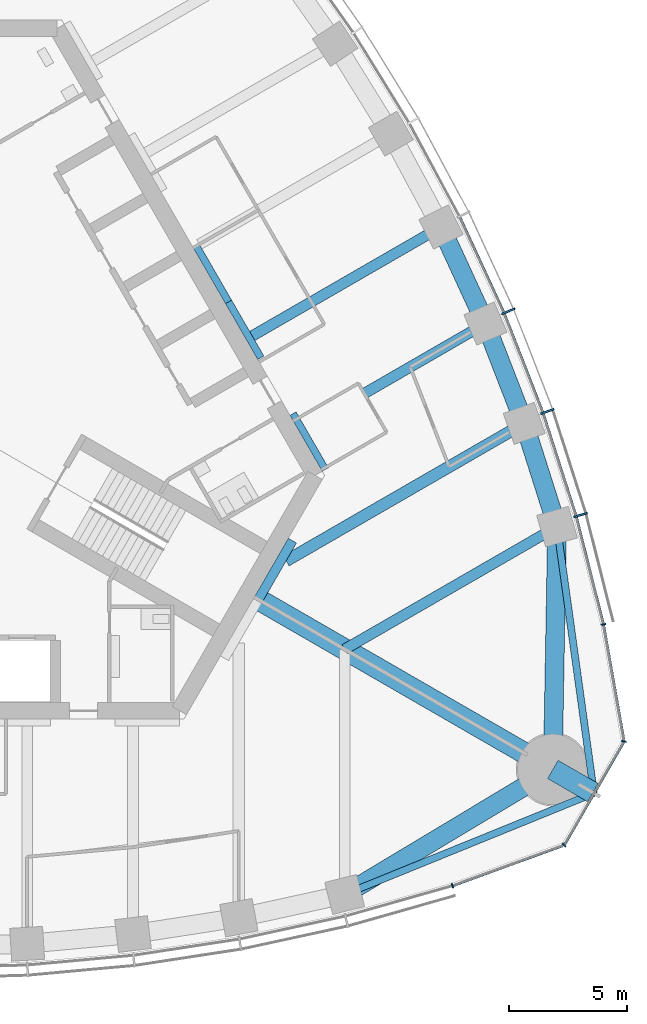
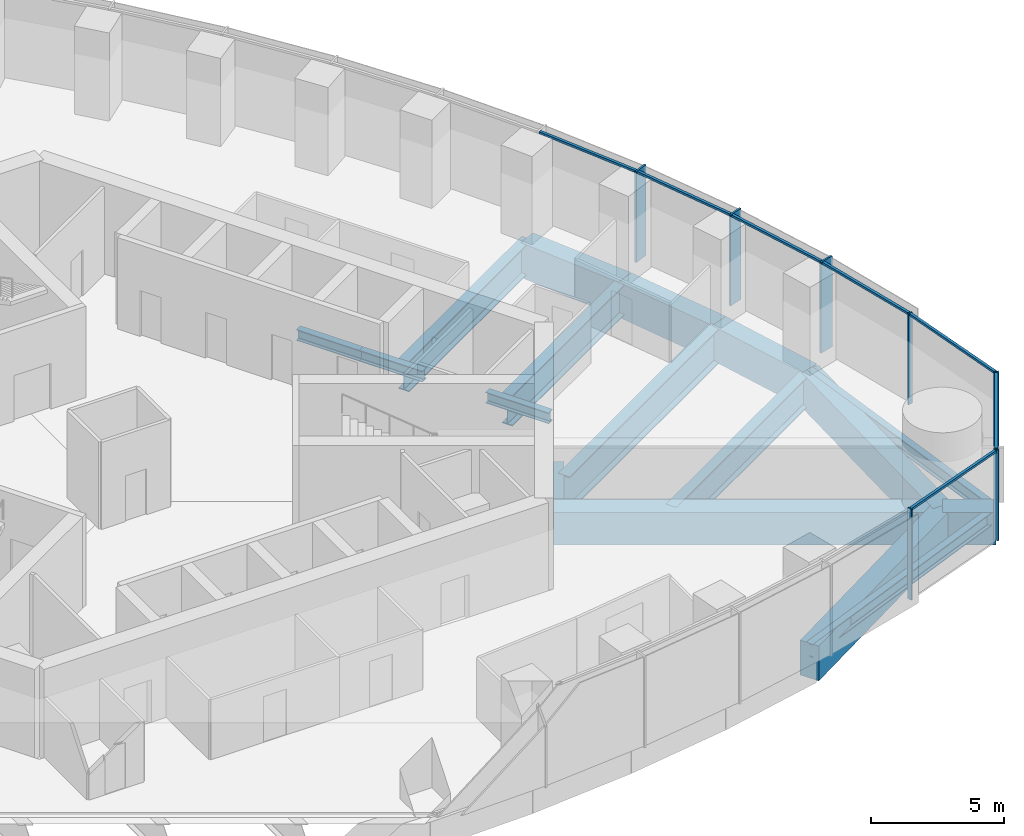
# One storey, part 4 of 14: 17 beams, 14 members, 2 elements without a shape of their own.
"""IFC4 building model written with IfcOpenShell, lengths in metres."""

from ifc_helpers import new_model, si_unit, direction, frame, origin, origin_2d, place, context, subcontext, project, spatial, rectangle, i_section, extrude, material, material_profile, profile_set, type_object, element, aggregate, save


model = new_model("IFC4")

# Units and contexts
model_context = context("Model", 3, precision=1e-05, world=origin(), true_north=direction((0.0, 1.0)))
body_context = subcontext(model_context, "Body", "Model", "MODEL_VIEW")
ifc_project = project(units=[si_unit("LENGTHUNIT", "METRE"), si_unit("AREAUNIT", "SQUARE_METRE"), si_unit("VOLUMEUNIT", "CUBIC_METRE"), si_unit("PLANEANGLEUNIT", "RADIAN"), si_unit("MASSUNIT", "GRAM", prefix="KILO")], contexts=[model_context])

# Site, building, storey
site_placement = place(None, origin())
site = spatial("IfcSite", under=ifc_project, at=site_placement, CompositionType="ELEMENT")
building_placement = place(site_placement, origin())
building = spatial("IfcBuilding", under=site, at=building_placement, Name="Trefoil Bronze Tower", CompositionType="ELEMENT")
storey_placement = place(building_placement, frame((0.0, 0.0, 280.5)))
storey = spatial("IfcBuildingStorey", under=building, at=storey_placement, Name="L64", CompositionType="ELEMENT", Elevation=280.5)

# Curtain wall, members
ifc_material_1 = material(Name="Tinted solar-control glass", Category="glass")
curtain_wall_type_1 = type_object("IfcCurtainWallType", Name="Bronze office curtain wall", PredefinedType="USERDEFINED", material=ifc_material_1)
curtain_wall_1_placement = place(storey_placement, origin())
curtain_wall_1 = element("IfcCurtainWall", 1, at=curtain_wall_1_placement, inside=storey, type_object=curtain_wall_type_1, Name="CW-A L64 F2", ObjectType="CURTAIN WALL", PredefinedType="USERDEFINED")
ifc_material_2 = material(Name="Bronze-finish aluminium", Category="aluminium")
ifc_material_profile_1 = material_profile(ifc_material_2, rectangle(XDim=0.60009765625, YDim=0.080078125, at=origin_2d()), Name="CW-A mullion")
ifc_profile_set_1 = profile_set([ifc_material_profile_1], Name="Bronze-finish aluminium")
member_type_1 = type_object("IfcMemberType", Name="Bronze office curtain wall mullion", PredefinedType="MULLION", material=ifc_profile_set_1)
member_1_placement = place(storey_placement, frame((28.02978515625, -4.685546875, 0.0), z_axis=(0.0, 0.0, 1.0), x_axis=(-0.961395843746, -0.275169096426, 0.0)))
member_1 = element("IfcMember", 2, at=member_1_placement, type_object=member_type_1, Name="CW-A L64 F2 mullion 2", PredefinedType="MULLION", context=body_context, shape_type="SweptSolid", body=[
    extrude(rectangle(XDim=0.60009765625, YDim=0.080078125, at=origin_2d()), origin(), (0.0, 0.0, 1.0), 4.179931640625),
])
member_2_placement = place(storey_placement, frame((26.618896484375, -0.282958984375, 0.0), z_axis=(0.0, 0.0, 1.0), x_axis=(-0.942448408407, -0.334351607581, 0.0)))
member_2 = element("IfcMember", 3, at=member_2_placement, type_object=member_type_1, Name="CW-A L64 F2 mullion 3", PredefinedType="MULLION", context=body_context, shape_type="SweptSolid", body=[
    extrude(rectangle(XDim=0.60009765625, YDim=0.080078125, at=origin_2d()), origin(), (0.0, 0.0, 1.0), 4.179931640625),
])
member_3_placement = place(storey_placement, frame((24.958984375, 3.975830078125, 0.0), z_axis=(0.0, 0.0, 1.0), x_axis=(-0.920205407004, -0.391435829888, 0.0)))
member_3 = element("IfcMember", 4, at=member_3_placement, type_object=member_type_1, Name="CW-A L64 F2 mullion 4", PredefinedType="MULLION", context=body_context, shape_type="SweptSolid", body=[
    extrude(rectangle(XDim=0.60009765625, YDim=0.080078125, at=origin_2d()), origin(), (0.0, 0.0, 1.0), 4.179931640625),
])
ifc_material_3 = material(Name="Bronze-finish aluminium", Category="aluminium")
ifc_material_profile_2 = material_profile(ifc_material_3, rectangle(XDim=0.1201171875, YDim=0.10009765625, at=origin_2d()), Name="CW-A transom")
ifc_profile_set_2 = profile_set([ifc_material_profile_2], Name="Bronze-finish aluminium")
member_type_2 = type_object("IfcMemberType", Name="Bronze office curtain wall transom", PredefinedType="USERDEFINED", material=ifc_profile_set_2)
member_4_placement = place(storey_placement, frame((28.986328125, -9.288330078125, 4.1298828125), z_axis=(-0.244908148095, 0.969546285123, 0.0), x_axis=(-0.969546285123, -0.244908148095, 0.0)))
member_4 = element("IfcMember", 5, at=member_4_placement, type_object=member_type_2, Name="CW-A L64 F2 transom 1", ObjectType="TRANSOM", PredefinedType="USERDEFINED", context=body_context, shape_type="SweptSolid", body=[
    extrude(rectangle(XDim=0.1201171875, YDim=0.10009765625, at=origin_2d()), origin(), (0.0, 0.0, 1.0), 4.6474609375),
])
member_5_placement = place(storey_placement, frame((27.824462890625, -4.699462890625, 4.1298828125), z_axis=(-0.305198606794, 0.95228872219, 0.0), x_axis=(-0.95228872219, -0.305198606794, 0.0)))
member_5 = element("IfcMember", 6, at=member_5_placement, type_object=member_type_2, Name="CW-A L64 F2 transom 2", ObjectType="TRANSOM", PredefinedType="USERDEFINED", context=body_context, shape_type="SweptSolid", body=[
    extrude(rectangle(XDim=0.1201171875, YDim=0.10009765625, at=origin_2d()), origin(), (0.0, 0.0, 1.0), 4.5244140625),
])
member_6_placement = place(storey_placement, frame((26.414794921875, -0.3095703125, 4.1298828125), z_axis=(-0.363178486404, 0.931719586042, 0.0), x_axis=(-0.931719586042, -0.363178486404, 0.0)))
member_6 = element("IfcMember", 7, at=member_6_placement, type_object=member_type_2, Name="CW-A L64 F2 transom 3", ObjectType="TRANSOM", PredefinedType="USERDEFINED", context=body_context, shape_type="SweptSolid", body=[
    extrude(rectangle(XDim=0.1201171875, YDim=0.10009765625, at=origin_2d()), origin(), (0.0, 0.0, 1.0), 4.472412109375),
])
member_7_placement = place(storey_placement, frame((24.7568359375, 3.9365234375, 4.1298828125), z_axis=(-0.4192988407, 0.907848270466, 0.0), x_axis=(-0.907848270466, -0.4192988407, 0.0)))
member_7 = element("IfcMember", 8, at=member_7_placement, type_object=member_type_2, Name="CW-A L64 F2 transom 4", ObjectType="TRANSOM", PredefinedType="USERDEFINED", context=body_context, shape_type="SweptSolid", body=[
    extrude(rectangle(XDim=0.1201171875, YDim=0.10009765625, at=origin_2d()), origin(), (0.0, 0.0, 1.0), 4.4384765625),
])
aggregate(curtain_wall_1, [member_1, member_2, member_3, member_4, member_5, member_6, member_7])

ifc_material_4 = material(Name="Tinted solar-control glass", Category="glass")
curtain_wall_type_2 = type_object("IfcCurtainWallType", Name="Bronze rounded corner curtain wall", PredefinedType="USERDEFINED", material=ifc_material_4)
curtain_wall_2_placement = place(storey_placement, origin())
curtain_wall_2 = element("IfcCurtainWall", 9, at=curtain_wall_2_placement, inside=storey, type_object=curtain_wall_type_2, Name="CW-B L64 K1", ObjectType="CURTAIN WALL", PredefinedType="USERDEFINED")
ifc_material_5 = material(Name="Bronze-finish aluminium", Category="aluminium")
ifc_material_profile_3 = material_profile(ifc_material_5, rectangle(XDim=0.199951171875, YDim=0.06005859375, at=origin_2d()), Name="CW-B mullion")
ifc_profile_set_3 = profile_set([ifc_material_profile_3], Name="Bronze-finish aluminium")
member_type_3 = type_object("IfcMemberType", Name="Bronze rounded corner curtain wall mullion", PredefinedType="MULLION", material=ifc_profile_set_3)
member_8_placement = place(storey_placement, frame((22.58251953125, -20.445556640625, 0.0), z_axis=(0.0, 0.0, 1.0), x_axis=(-0.342020143326, 0.939692620786, 0.0)))
member_8 = element("IfcMember", 10, at=member_8_placement, type_object=member_type_3, Name="CW-B L64 K1 mullion 1", PredefinedType="MULLION", context=body_context, shape_type="SweptSolid", body=[
    extrude(rectangle(XDim=0.199951171875, YDim=0.06005859375, at=origin_2d()), origin(), (0.0, 0.0, 1.0), 4.179931640625),
])
member_9_placement = place(storey_placement, frame((27.326416015625, -18.712646484375, 0.0), z_axis=(0.0, 0.0, 1.0), x_axis=(-0.642787609687, 0.766044443119, 0.0)))
member_9 = element("IfcMember", 11, at=member_9_placement, type_object=member_type_3, Name="CW-B L64 K1 mullion 2", PredefinedType="MULLION", context=body_context, shape_type="SweptSolid", body=[
    extrude(rectangle(XDim=0.199951171875, YDim=0.06005859375, at=origin_2d()), origin(), (0.0, 0.0, 1.0), 4.179931640625),
])
member_10_placement = place(storey_placement, frame((29.86865234375, -14.30908203125, 0.0), z_axis=(0.0, 0.0, 1.0), x_axis=(-0.984807753012, 0.173648177667, 0.0)))
member_10 = element("IfcMember", 12, at=member_10_placement, type_object=member_type_3, Name="CW-B L64 K1 mullion 3", PredefinedType="MULLION", context=body_context, shape_type="SweptSolid", body=[
    extrude(rectangle(XDim=0.199951171875, YDim=0.06005859375, at=origin_2d()), origin(), (0.0, 0.0, 1.0), 4.179931640625),
])
member_11_placement = place(storey_placement, frame((28.99755859375, -9.334228515625, 0.0), z_axis=(0.0, 0.0, 1.0), x_axis=(-0.984807753012, -0.173648177667, 0.0)))
member_11 = element("IfcMember", 13, at=member_11_placement, type_object=member_type_3, Name="CW-B L64 K1 mullion 4", PredefinedType="MULLION", context=body_context, shape_type="SweptSolid", body=[
    extrude(rectangle(XDim=0.199951171875, YDim=0.06005859375, at=origin_2d()), origin(), (0.0, 0.0, 1.0), 4.179931640625),
])
ifc_material_6 = material(Name="Bronze-finish aluminium", Category="aluminium")
ifc_material_profile_4 = material_profile(ifc_material_6, rectangle(XDim=0.1201171875, YDim=0.10009765625, at=origin_2d()), Name="CW-B transom")
ifc_profile_set_4 = profile_set([ifc_material_profile_4], Name="Bronze-finish aluminium")
member_type_4 = type_object("IfcMemberType", Name="Bronze rounded corner curtain wall transom", PredefinedType="USERDEFINED", material=ifc_profile_set_4)
member_12_placement = place(storey_placement, frame((22.610595703125, -20.435302734375, 4.1298828125), z_axis=(0.93969990549, 0.342000128103, 0.0), x_axis=(-0.342000128103, 0.93969990549, 0.0)))
member_12 = element("IfcMember", 14, at=member_12_placement, type_object=member_type_4, Name="CW-B L64 K1 transom 1", ObjectType="TRANSOM", PredefinedType="USERDEFINED", context=body_context, shape_type="SweptSolid", body=[
    extrude(rectangle(XDim=0.1201171875, YDim=0.10009765625, at=origin_2d()), origin(), (0.0, 0.0, 1.0), 4.956298828125),
])
member_13_placement = place(storey_placement, frame((27.36376953125, -18.659912109375, 4.1298828125), z_axis=(0.499985403706, 0.866033830794, 0.0), x_axis=(-0.866033830794, 0.499985403706, 0.0)))
member_13 = element("IfcMember", 15, at=member_13_placement, type_object=member_type_4, Name="CW-B L64 K1 transom 2", ObjectType="TRANSOM", PredefinedType="USERDEFINED", context=body_context, shape_type="SweptSolid", body=[
    extrude(rectangle(XDim=0.1201171875, YDim=0.10009765625, at=origin_2d()), origin(), (0.0, 0.0, 1.0), 4.956298828125),
])
member_14_placement = place(storey_placement, frame((29.863525390625, -14.244873046875, 4.1298828125), z_axis=(-0.173633591509, 0.984810324834, 0.0), x_axis=(-0.984810324834, -0.173633591509, 0.0)))
member_14 = element("IfcMember", 16, at=member_14_placement, type_object=member_type_4, Name="CW-B L64 K1 transom 3", ObjectType="TRANSOM", PredefinedType="USERDEFINED", context=body_context, shape_type="SweptSolid", body=[
    extrude(rectangle(XDim=0.1201171875, YDim=0.10009765625, at=origin_2d()), origin(), (0.0, 0.0, 1.0), 4.956298828125),
])
aggregate(curtain_wall_2, [member_8, member_9, member_10, member_11, member_12, member_13, member_14])

# Beams
ifc_material_7 = material(Name="Steel C355", Category="steel")
ifc_material_profile_5 = material_profile(ifc_material_7, i_section(OverallWidth=0.300048828125, OverallDepth=0.5, WebThickness=0.014404296875, FlangeThickness=0.028076171875, FilletRadius=0.027099609375, at=origin_2d()), Name="HEB 500")
ifc_profile_set_5 = profile_set([ifc_material_profile_5], Name="Steel C355")
beam_type_1 = type_object("IfcBeamType", Name="Core seat beam HEB 500", PredefinedType="BEAM", material=ifc_profile_set_5)
for number, where, z_axis, x_axis, name in (
    (17, (17.17626953125, -2.75, -0.449951171875), (-0.500035825175, 0.866004719122, 0.0), (-0.866004719122, -0.500035825175, 0.0), "Core seat beam F2/-2 L64"),
    (18, (14.433837890625, 2.0, -0.449951171875), (-0.500035825175, 0.866004719122, 0.0), (-0.866004719122, -0.500035825175, 0.0), "Core seat beam F2/-1 L64"),
    (19, (13.0625, 4.375, -0.449951171875), (-0.499969057507, 0.866043267704, 0.0), (-0.866043267704, -0.499969057507, 0.0), "Core seat beam F2/+0 L64"),
):
    element("IfcBeam", number, at=place(storey_placement, frame(where, z_axis=z_axis, x_axis=x_axis)), inside=storey, type_object=beam_type_1, Name=name, PredefinedType="BEAM", context=body_context, shape_type="SweptSolid", body=[
        extrude(i_section(OverallWidth=0.300048828125, OverallDepth=0.5, WebThickness=0.014404296875, FlangeThickness=0.028076171875, FilletRadius=0.027099609375, at=origin_2d()), origin(), (0.0, 0.0, 1.0), 2.742431640625),
    ])
ifc_material_8 = material(Name="Steel C355", Category="steel")
ifc_material_profile_6 = material_profile(ifc_material_8, i_section(OverallWidth=0.39990234375, OverallDepth=1.199951171875, WebThickness=0.02001953125, FlangeThickness=0.0400390625, FilletRadius=0.010009765625, at=origin_2d()), Name="WPG 1200")
ifc_profile_set_6 = profile_set([ifc_material_profile_6], Name="Steel C355")
beam_type_2 = type_object("IfcBeamType", Name="Core seat beam WPG 1200", PredefinedType="BEAM", material=ifc_profile_set_6)
beam_1_placement = place(storey_placement, frame((14.332763671875, -8.27490234375, -0.800048828125), z_axis=(0.499995765644, 0.866027848477, 0.0), x_axis=(-0.866027848477, 0.499995765644, 0.0)))
element("IfcBeam", 20, at=beam_1_placement, inside=storey, type_object=beam_type_2, Name="Core seat beam F2/-3 L64", PredefinedType="BEAM", context=body_context, shape_type="SweptSolid", body=[
    extrude(i_section(OverallWidth=0.39990234375, OverallDepth=1.199951171875, WebThickness=0.02001953125, FlangeThickness=0.0400390625, FilletRadius=0.010009765625, at=origin_2d()), origin(), (0.0, 0.0, 1.0), 2.88671875),
])
ifc_material_9 = material(Name="Concrete B80", Category="concrete")
ifc_material_profile_7 = material_profile(ifc_material_9, rectangle(XDim=0.89990234375, YDim=1.5, at=origin_2d()), Name="RC 900x1500")
ifc_profile_set_7 = profile_set([ifc_material_profile_7], Name="Concrete B80")
beam_type_3 = type_object("IfcBeamType", Name="Corner cantilever RC 900x1500", PredefinedType="BEAM", material=ifc_profile_set_7)
beam_2_placement = place(storey_placement, frame((26.8466796875, -15.5, -0.949951171875), z_axis=(0.866010470582, -0.500025864173, 0.0), x_axis=(0.500025864173, 0.866010470582, 0.0)))
element("IfcBeam", 21, at=beam_2_placement, inside=storey, type_object=beam_type_3, Name="Corner cantilever K1 L64", PredefinedType="BEAM", context=body_context, shape_type="SweptSolid", body=[
    extrude(rectangle(XDim=0.89990234375, YDim=1.5, at=origin_2d()), origin(), (0.0, 0.0, 1.0), 2.02001953125),
])
ifc_material_10 = material(Name="Steel C355", Category="steel")
ifc_material_profile_8 = material_profile(ifc_material_10, i_section(OverallWidth=0.300048828125, OverallDepth=0.60009765625, WebThickness=0.015380859375, FlangeThickness=0.030029296875, FilletRadius=0.027099609375, at=origin_2d()), Name="HEB 600")
ifc_profile_set_8 = profile_set([ifc_material_profile_8], Name="Steel C355")
beam_type_4 = type_object("IfcBeamType", Name="Corner edge beam HEB 600", PredefinedType="BEAM", material=ifc_profile_set_8)
beam_3_placement = place(storey_placement, frame((18.0, -20.816162109375, -0.5), z_axis=(0.926419351914, 0.376493272714, 0.0), x_axis=(-0.376493272714, 0.926419351914, 0.0)))
element("IfcBeam", 22, at=beam_3_placement, inside=storey, type_object=beam_type_4, Name="Corner edge beam F1A L64", PredefinedType="BEAM", context=body_context, shape_type="SweptSolid", body=[
    extrude(i_section(OverallWidth=0.300048828125, OverallDepth=0.60009765625, WebThickness=0.015380859375, FlangeThickness=0.030029296875, FilletRadius=0.027099609375, at=origin_2d()), origin(), (0.0, 0.0, 1.0), 11.4375),
])
beam_4_placement = place(storey_placement, frame((27.02734375, -5.180419921875, -0.5), z_axis=(0.137143714313, -0.990551160529, 0.0), x_axis=(0.990551160529, 0.137143714313, 0.0)))
element("IfcBeam", 23, at=beam_4_placement, inside=storey, type_object=beam_type_4, Name="Corner edge beam F2B L64", PredefinedType="BEAM", context=body_context, shape_type="SweptSolid", body=[
    extrude(i_section(OverallWidth=0.300048828125, OverallDepth=0.60009765625, WebThickness=0.015380859375, FlangeThickness=0.030029296875, FilletRadius=0.027099609375, at=origin_2d()), origin(), (0.0, 0.0, 1.0), 11.437744140625),
])
ifc_material_11 = material(Name="Concrete B80", Category="concrete")
ifc_material_profile_9 = material_profile(ifc_material_11, rectangle(XDim=0.89990234375, YDim=1.5, at=origin_2d()), Name="RC 900x1500")
ifc_profile_set_9 = profile_set([ifc_material_profile_9], Name="Concrete B80")
beam_type_5 = type_object("IfcBeamType", Name="Corner girder RC 900x1500", PredefinedType="BEAM", material=ifc_profile_set_9)
beam_5_placement = place(storey_placement, frame((14.159423828125, -8.175048828125, -0.949951171875), z_axis=(0.866026568746, -0.499997982221, 0.0), x_axis=(0.499997982221, 0.866026568746, 0.0)))
element("IfcBeam", 24, at=beam_5_placement, inside=storey, type_object=beam_type_5, Name="Corner girder K1 L64", PredefinedType="BEAM", context=body_context, shape_type="SweptSolid", body=[
    extrude(rectangle(XDim=0.89990234375, YDim=1.5, at=origin_2d()), origin(), (0.0, 0.0, 1.0), 14.64990234375),
])
ifc_material_12 = material(Name="Concrete B80", Category="concrete")
ifc_material_profile_10 = material_profile(ifc_material_12, rectangle(XDim=0.800048828125, YDim=1.60009765625, at=origin_2d()), Name="RC 800x1600")
ifc_profile_set_10 = profile_set([ifc_material_profile_10], Name="Concrete B80")
beam_type_6 = type_object("IfcBeamType", Name="End spandrel beam RC 800x1600", PredefinedType="SPANDREL", material=ifc_profile_set_10)
for number, where, z_axis, x_axis, name in (
    (25, (18.0, -20.816162109375, -1.0), (0.857144173035, 0.515076563855, 0.0), (-0.515076563855, 0.857144173035, 0.0), "Spandrel F1.10 L64"),
    (26, (26.8466796875, -15.5, -1.0), (0.017504237714, 0.999846789094, 0.0), (-0.999846789094, 0.017504237714, 0.0), "Spandrel F2.1 L64"),
):
    element("IfcBeam", number, at=place(storey_placement, frame(where, z_axis=z_axis, x_axis=x_axis)), inside=storey, type_object=beam_type_6, Name=name, PredefinedType="SPANDREL", context=body_context, shape_type="SweptSolid", body=[
        extrude(rectangle(XDim=0.800048828125, YDim=1.60009765625, at=origin_2d()), origin(), (0.0, 0.0, 1.0), 10.321044921875),
    ])
ifc_material_13 = material(Name="Steel C355", Category="steel")
ifc_material_profile_11 = material_profile(ifc_material_13, i_section(OverallWidth=0.449951171875, OverallDepth=1.39990234375, WebThickness=0.02294921875, FlangeThickness=0.044921875, FilletRadius=0.011962890625, at=origin_2d()), Name="WPG 1400")
ifc_profile_set_11 = profile_set([ifc_material_profile_11], Name="Steel C355")
beam_type_7 = type_object("IfcBeamType", Name="Floor beam WPG 1400", PredefinedType="BEAM", material=ifc_profile_set_11)
beam_6_placement = place(storey_placement, frame((27.02734375, -5.180419921875, -0.89990234375), z_axis=(-0.866026453994, -0.499998180979, 0.0), x_axis=(0.499998180979, -0.866026453994, 0.0)))
element("IfcBeam", 27, at=beam_6_placement, inside=storey, type_object=beam_type_7, Name="Floor beam F2/-4 L64", PredefinedType="BEAM", context=body_context, shape_type="SweptSolid", body=[
    extrude(i_section(OverallWidth=0.449951171875, OverallDepth=1.39990234375, WebThickness=0.02294921875, FlangeThickness=0.044921875, FilletRadius=0.011962890625, at=origin_2d()), origin(), (0.0, 0.0, 1.0), 10.423828125),
])
beam_7_placement = place(storey_placement, frame((23.98486328125, 3.455322265625, -0.89990234375), z_axis=(-0.866025701847, -0.499999483739, 0.0), x_axis=(0.499999483739, -0.866025701847, 0.0)))
element("IfcBeam", 28, at=beam_7_placement, inside=storey, type_object=beam_type_7, Name="Floor beam F2/-2 L64", PredefinedType="BEAM", context=body_context, shape_type="SweptSolid", body=[
    extrude(i_section(OverallWidth=0.449951171875, OverallDepth=1.39990234375, WebThickness=0.02294921875, FlangeThickness=0.044921875, FilletRadius=0.011962890625, at=origin_2d()), origin(), (0.0, 0.0, 1.0), 8.84912109375),
])
beam_8_placement = place(storey_placement, frame((22.093994140625, 7.559814453125, -0.89990234375), z_axis=(-0.866028909405, -0.499993928037, 0.0), x_axis=(0.499993928037, -0.866028909405, 0.0)))
element("IfcBeam", 29, at=beam_8_placement, inside=storey, type_object=beam_type_7, Name="Floor beam F2/-1 L64", PredefinedType="BEAM", context=body_context, shape_type="SweptSolid", body=[
    extrude(i_section(OverallWidth=0.449951171875, OverallDepth=1.39990234375, WebThickness=0.02294921875, FlangeThickness=0.044921875, FilletRadius=0.011962890625, at=origin_2d()), origin(), (0.0, 0.0, 1.0), 9.263671875),
])
ifc_material_14 = material(Name="Steel C355", Category="steel")
ifc_material_profile_12 = material_profile(ifc_material_14, i_section(OverallWidth=0.5, OverallDepth=1.60009765625, WebThickness=0.02587890625, FlangeThickness=0.050048828125, FilletRadius=0.011962890625, at=origin_2d()), Name="WPG 1600")
ifc_profile_set_12 = profile_set([ifc_material_profile_12], Name="Steel C355")
beam_type_8 = type_object("IfcBeamType", Name="Floor beam WPG 1600", PredefinedType="BEAM", material=ifc_profile_set_12)
beam_9_placement = place(storey_placement, frame((25.631591796875, -0.7900390625, -1.0), z_axis=(-0.866026929639, -0.499997357134, 0.0), x_axis=(0.499997357134, -0.866026929639, 0.0)))
element("IfcBeam", 30, at=beam_9_placement, inside=storey, type_object=beam_type_8, Name="Floor beam F2/-3 L64", PredefinedType="BEAM", context=body_context, shape_type="SweptSolid", body=[
    extrude(i_section(OverallWidth=0.5, OverallDepth=1.60009765625, WebThickness=0.02587890625, FlangeThickness=0.050048828125, FilletRadius=0.011962890625, at=origin_2d()), origin(), (0.0, 0.0, 1.0), 11.68505859375),
])
ifc_material_15 = material(Name="Concrete B80", Category="concrete")
ifc_material_profile_13 = material_profile(ifc_material_15, rectangle(XDim=0.800048828125, YDim=1.60009765625, at=origin_2d()), Name="RC 800x1600")
ifc_profile_set_13 = profile_set([ifc_material_profile_13], Name="Concrete B80")
beam_type_9 = type_object("IfcBeamType", Name="Spandrel beam RC 800x1600", PredefinedType="SPANDREL", material=ifc_profile_set_13)
beam_10_placement = place(storey_placement, frame((27.02734375, -5.180419921875, -1.0), z_axis=(-0.302969597344, 0.953000221975, 0.0), x_axis=(-0.953000221975, -0.302969597344, 0.0)))
element("IfcBeam", 31, at=beam_10_placement, inside=storey, type_object=beam_type_9, Name="Spandrel F2.2 L64", PredefinedType="SPANDREL", context=body_context, shape_type="SweptSolid", body=[
    extrude(rectangle(XDim=0.800048828125, YDim=1.60009765625, at=origin_2d()), origin(), (0.0, 0.0, 1.0), 4.60693359375),
])
beam_11_placement = place(storey_placement, frame((25.631591796875, -0.7900390625, -1.0), z_axis=(-0.361636286502, 0.932319256631, 0.0), x_axis=(-0.932319256631, -0.361636286502, 0.0)))
element("IfcBeam", 32, at=beam_11_placement, inside=storey, type_object=beam_type_9, Name="Spandrel F2.3 L64", PredefinedType="SPANDREL", context=body_context, shape_type="SweptSolid", body=[
    extrude(rectangle(XDim=0.800048828125, YDim=1.60009765625, at=origin_2d()), origin(), (0.0, 0.0, 1.0), 4.553466796875),
])
beam_12_placement = place(storey_placement, frame((23.98486328125, 3.455322265625, -1.0), z_axis=(-0.418417425199, 0.90825484215, 0.0), x_axis=(-0.90825484215, -0.418417425199, 0.0)))
element("IfcBeam", 33, at=beam_12_placement, inside=storey, type_object=beam_type_9, Name="Spandrel F2.4 L64", PredefinedType="SPANDREL", context=body_context, shape_type="SweptSolid", body=[
    extrude(rectangle(XDim=0.800048828125, YDim=1.60009765625, at=origin_2d()), origin(), (0.0, 0.0, 1.0), 4.51904296875),
])

save(model, "model.ifc")
